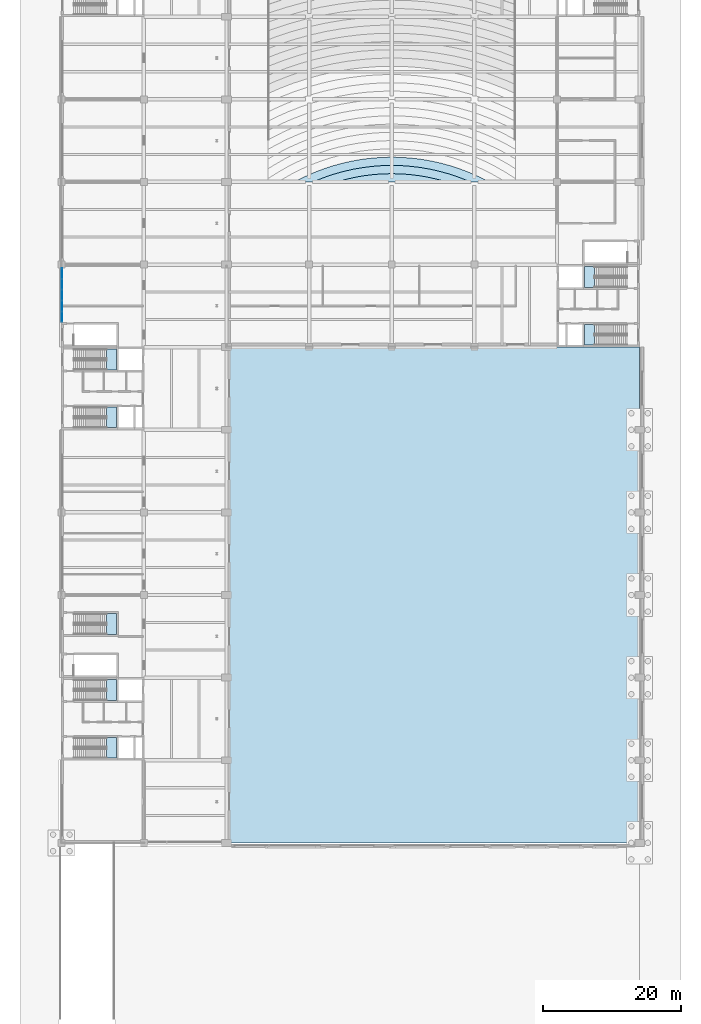
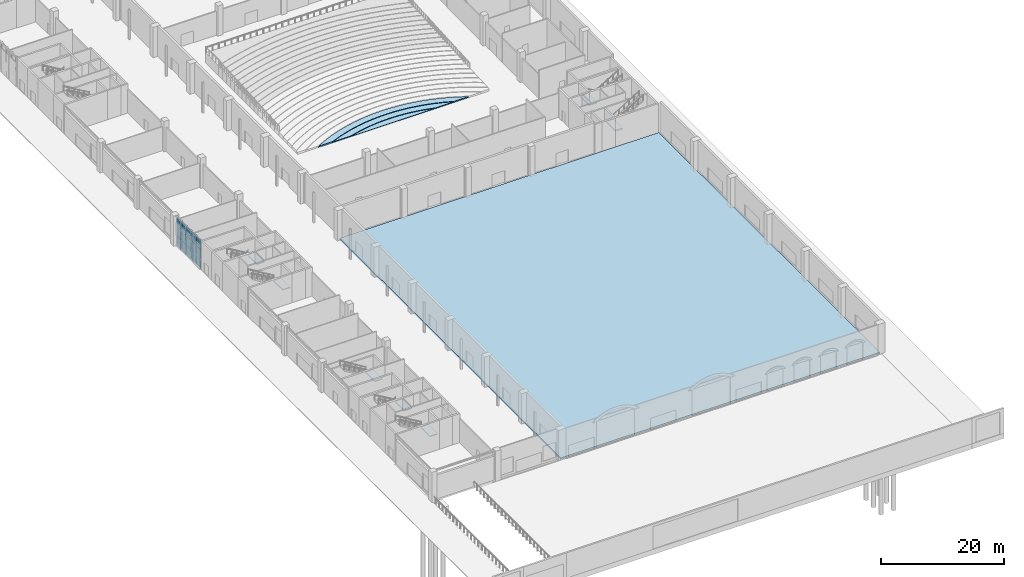
# One storey, part 25 of 59: 15 plates, 11 slabs, 8 elements without a shape of their own.
"""IFC4 building model written with IfcOpenShell, lengths in metres."""

from ifc_helpers import new_model, si_unit, direction, frame, origin, origin_2d, place, context, subcontext, project, spatial, polyline, rectangle, outline, extrude, material, layer, layer_set, type_object, element, aggregate, save


model = new_model("IFC4")

# Units and contexts
model_context = context("Model", 3, precision=1e-05, world=origin(), true_north=direction((0.0, 1.0)))
body_context = subcontext(model_context, "Body", "Model", "MODEL_VIEW")
ifc_project = project(units=[si_unit("LENGTHUNIT", "METRE"), si_unit("AREAUNIT", "SQUARE_METRE"), si_unit("VOLUMEUNIT", "CUBIC_METRE"), si_unit("PLANEANGLEUNIT", "RADIAN"), si_unit("MASSUNIT", "GRAM", prefix="KILO")], contexts=[model_context])

# Site, building, storey
site_placement = place(None, origin())
site = spatial("IfcSite", under=ifc_project, at=site_placement, CompositionType="ELEMENT")
building_placement = place(site_placement, origin())
building = spatial("IfcBuilding", under=site, at=building_placement, Name="Lilac Gate Convention Centre", CompositionType="ELEMENT")
storey_placement = place(building_placement, origin())
storey = spatial("IfcBuildingStorey", under=building, at=storey_placement, Name="L00", CompositionType="ELEMENT", Elevation=0.0)

# Slab
ifc_material_1 = material(Name="Concrete C40", Category="concrete")
ifc_layer_1 = layer(ifc_material_1, 0.300048828125)
ifc_layer_set_1 = layer_set([ifc_layer_1], Name="Concrete C40")
slab_type_1 = type_object("IfcSlabType", Name="Base slab 300 C40", PredefinedType="BASESLAB", material=ifc_layer_set_1)
slab_1_placement = place(storey_placement, frame((0.0, 0.0, -0.300048828125)))
element("IfcSlab", 1, at=slab_1_placement, inside=storey, type_object=slab_type_1, Name="BS2 slab L00 2", PredefinedType="BASESLAB", context=body_context, shape_type="SweptSolid", body=[
    extrude(outline(polyline([(30.0, 30.0), (30.0, 102.0), (90.0, 102.0), (90.0, 30.0), (30.0, 30.0)])), origin(), (0.0, 0.0, 1.0), 0.300048828125),
])

# Curtain wall, plates
ifc_material_2 = material(Name="Aluminium framed double glazing", Category="aluminium")
ifc_layer_2 = layer(ifc_material_2, 0.199951171875)
ifc_layer_set_2 = layer_set([ifc_layer_2], Name="Aluminium framed double glazing")
curtain_wall_type = type_object("IfcCurtainWallType", Name="Unitised curtain wall 1500", PredefinedType="NOTDEFINED", material=ifc_layer_set_2)
curtain_wall_placement = place(storey_placement, origin())
curtain_wall = element("IfcCurtainWall", 2, at=curtain_wall_placement, inside=storey, type_object=curtain_wall_type, Name="Curtain wall PW L00 8", PredefinedType="NOTDEFINED")
ifc_material_3 = material(Name="Double glazed unit low emissivity")
ifc_layer_3 = layer(ifc_material_3, 0.028076171875)
ifc_layer_set_3 = layer_set([ifc_layer_3], Name="Double glazed unit low emissivity")
plate_type_1 = type_object("IfcPlateType", Name="Curtain wall glass panel 28", PredefinedType="CURTAIN_PANEL", material=ifc_layer_set_3)
plate_1_placement = place(storey_placement, frame((6.10009765625, 112.695068359375, 1.94677734375), z_axis=(0.0, 0.0, 1.0), x_axis=(0.0, -1.0, 0.0)))
plate_1 = element("IfcPlate", 3, at=plate_1_placement, type_object=plate_type_1, Name="CW panel 1.2", PredefinedType="CURTAIN_PANEL", context=body_context, shape_type="SweptSolid", body=[
    extrude(rectangle(XDim=1.489990234375, YDim=0.028076171875, at=origin_2d()), origin(), (0.0, 0.0, 1.0), 1.856689453125),
])
plate_2_placement = place(storey_placement, frame((6.10009765625, 112.695068359375, 3.86328125), z_axis=(0.0, 0.0, 1.0), x_axis=(0.0, -1.0, 0.0)))
plate_2 = element("IfcPlate", 4, at=plate_2_placement, type_object=plate_type_1, Name="CW panel 1.3", PredefinedType="CURTAIN_PANEL", context=body_context, shape_type="SweptSolid", body=[
    extrude(rectangle(XDim=1.489990234375, YDim=0.028076171875, at=origin_2d()), origin(), (0.0, 0.0, 1.0), 1.82666015625),
])
plate_3_placement = place(storey_placement, frame((6.10009765625, 111.130126953125, 1.94677734375), z_axis=(0.0, 0.0, 1.0), x_axis=(0.0, -1.0, 0.0)))
plate_3 = element("IfcPlate", 5, at=plate_3_placement, type_object=plate_type_1, Name="CW panel 2.2", PredefinedType="CURTAIN_PANEL", context=body_context, shape_type="SweptSolid", body=[
    extrude(rectangle(XDim=1.52001953125, YDim=0.028076171875, at=origin_2d()), origin(), (0.0, 0.0, 1.0), 1.856689453125),
])
plate_4_placement = place(storey_placement, frame((6.10009765625, 111.130126953125, 3.86328125), z_axis=(0.0, 0.0, 1.0), x_axis=(0.0, -1.0, 0.0)))
plate_4 = element("IfcPlate", 6, at=plate_4_placement, type_object=plate_type_1, Name="CW panel 2.3", PredefinedType="CURTAIN_PANEL", context=body_context, shape_type="SweptSolid", body=[
    extrude(rectangle(XDim=1.52001953125, YDim=0.028076171875, at=origin_2d()), origin(), (0.0, 0.0, 1.0), 1.82666015625),
])
plate_5_placement = place(storey_placement, frame((6.10009765625, 109.550048828125, 1.94677734375), z_axis=(0.0, 0.0, 1.0), x_axis=(0.0, -1.0, 0.0)))
plate_5 = element("IfcPlate", 7, at=plate_5_placement, type_object=plate_type_1, Name="CW panel 3.2", PredefinedType="CURTAIN_PANEL", context=body_context, shape_type="SweptSolid", body=[
    extrude(rectangle(XDim=1.52001953125, YDim=0.028076171875, at=origin_2d()), origin(), (0.0, 0.0, 1.0), 1.856689453125),
])
plate_6_placement = place(storey_placement, frame((6.10009765625, 109.550048828125, 3.86328125), z_axis=(0.0, 0.0, 1.0), x_axis=(0.0, -1.0, 0.0)))
plate_6 = element("IfcPlate", 8, at=plate_6_placement, type_object=plate_type_1, Name="CW panel 3.3", PredefinedType="CURTAIN_PANEL", context=body_context, shape_type="SweptSolid", body=[
    extrude(rectangle(XDim=1.52001953125, YDim=0.028076171875, at=origin_2d()), origin(), (0.0, 0.0, 1.0), 1.82666015625),
])
plate_7_placement = place(storey_placement, frame((6.10009765625, 107.969970703125, 1.94677734375), z_axis=(0.0, 0.0, 1.0), x_axis=(0.0, -1.0, 0.0)))
plate_7 = element("IfcPlate", 9, at=plate_7_placement, type_object=plate_type_1, Name="CW panel 4.2", PredefinedType="CURTAIN_PANEL", context=body_context, shape_type="SweptSolid", body=[
    extrude(rectangle(XDim=1.52001953125, YDim=0.028076171875, at=origin_2d()), origin(), (0.0, 0.0, 1.0), 1.856689453125),
])
plate_8_placement = place(storey_placement, frame((6.10009765625, 107.969970703125, 3.86328125), z_axis=(0.0, 0.0, 1.0), x_axis=(0.0, -1.0, 0.0)))
plate_8 = element("IfcPlate", 10, at=plate_8_placement, type_object=plate_type_1, Name="CW panel 4.3", PredefinedType="CURTAIN_PANEL", context=body_context, shape_type="SweptSolid", body=[
    extrude(rectangle(XDim=1.52001953125, YDim=0.028076171875, at=origin_2d()), origin(), (0.0, 0.0, 1.0), 1.82666015625),
])
plate_9_placement = place(storey_placement, frame((6.10009765625, 106.405029296875, 1.94677734375), z_axis=(0.0, 0.0, 1.0), x_axis=(0.0, -1.0, 0.0)))
plate_9 = element("IfcPlate", 11, at=plate_9_placement, type_object=plate_type_1, Name="CW panel 5.2", PredefinedType="CURTAIN_PANEL", context=body_context, shape_type="SweptSolid", body=[
    extrude(rectangle(XDim=1.489990234375, YDim=0.028076171875, at=origin_2d()), origin(), (0.0, 0.0, 1.0), 1.856689453125),
])
plate_10_placement = place(storey_placement, frame((6.10009765625, 106.405029296875, 3.86328125), z_axis=(0.0, 0.0, 1.0), x_axis=(0.0, -1.0, 0.0)))
plate_10 = element("IfcPlate", 12, at=plate_10_placement, type_object=plate_type_1, Name="CW panel 5.3", PredefinedType="CURTAIN_PANEL", context=body_context, shape_type="SweptSolid", body=[
    extrude(rectangle(XDim=1.489990234375, YDim=0.028076171875, at=origin_2d()), origin(), (0.0, 0.0, 1.0), 1.82666015625),
])
ifc_material_4 = material(Name="Insulated aluminium spandrel panel", Category="aluminium")
ifc_layer_4 = layer(ifc_material_4, 0.028076171875)
ifc_layer_set_4 = layer_set([ifc_layer_4], Name="Insulated aluminium spandrel panel")
plate_type_2 = type_object("IfcPlateType", Name="Curtain wall spandrel panel 28", PredefinedType="CURTAIN_PANEL", material=ifc_layer_set_4)
plate_11_placement = place(storey_placement, frame((6.10009765625, 112.695068359375, 0.06005859375), z_axis=(0.0, 0.0, 1.0), x_axis=(0.0, -1.0, 0.0)))
plate_11 = element("IfcPlate", 13, at=plate_11_placement, type_object=plate_type_2, Name="CW spandrel 1.1", PredefinedType="CURTAIN_PANEL", context=body_context, shape_type="SweptSolid", body=[
    extrude(rectangle(XDim=1.489990234375, YDim=0.028076171875, at=origin_2d()), origin(), (0.0, 0.0, 1.0), 1.82666015625),
])
plate_12_placement = place(storey_placement, frame((6.10009765625, 111.130126953125, 0.06005859375), z_axis=(0.0, 0.0, 1.0), x_axis=(0.0, -1.0, 0.0)))
plate_12 = element("IfcPlate", 14, at=plate_12_placement, type_object=plate_type_2, Name="CW spandrel 2.1", PredefinedType="CURTAIN_PANEL", context=body_context, shape_type="SweptSolid", body=[
    extrude(rectangle(XDim=1.52001953125, YDim=0.028076171875, at=origin_2d()), origin(), (0.0, 0.0, 1.0), 1.82666015625),
])
plate_13_placement = place(storey_placement, frame((6.10009765625, 109.550048828125, 0.06005859375), z_axis=(0.0, 0.0, 1.0), x_axis=(0.0, -1.0, 0.0)))
plate_13 = element("IfcPlate", 15, at=plate_13_placement, type_object=plate_type_2, Name="CW spandrel 3.1", PredefinedType="CURTAIN_PANEL", context=body_context, shape_type="SweptSolid", body=[
    extrude(rectangle(XDim=1.52001953125, YDim=0.028076171875, at=origin_2d()), origin(), (0.0, 0.0, 1.0), 1.82666015625),
])
plate_14_placement = place(storey_placement, frame((6.10009765625, 107.969970703125, 0.06005859375), z_axis=(0.0, 0.0, 1.0), x_axis=(0.0, -1.0, 0.0)))
plate_14 = element("IfcPlate", 16, at=plate_14_placement, type_object=plate_type_2, Name="CW spandrel 4.1", PredefinedType="CURTAIN_PANEL", context=body_context, shape_type="SweptSolid", body=[
    extrude(rectangle(XDim=1.52001953125, YDim=0.028076171875, at=origin_2d()), origin(), (0.0, 0.0, 1.0), 1.82666015625),
])
plate_15_placement = place(storey_placement, frame((6.10009765625, 106.405029296875, 0.06005859375), z_axis=(0.0, 0.0, 1.0), x_axis=(0.0, -1.0, 0.0)))
plate_15 = element("IfcPlate", 17, at=plate_15_placement, type_object=plate_type_2, Name="CW spandrel 5.1", PredefinedType="CURTAIN_PANEL", context=body_context, shape_type="SweptSolid", body=[
    extrude(rectangle(XDim=1.489990234375, YDim=0.028076171875, at=origin_2d()), origin(), (0.0, 0.0, 1.0), 1.82666015625),
])
aggregate(curtain_wall, [plate_11, plate_1, plate_2, plate_12, plate_3, plate_4, plate_13, plate_5, plate_6, plate_14, plate_7, plate_8, plate_15, plate_9, plate_10])

# Slabs
ifc_layer_5 = layer(ifc_material_1, 0.300048828125)
ifc_layer_set_5 = layer_set([ifc_layer_5], Name="Concrete C40")
slab_type_2 = type_object("IfcSlabType", Name="Seating tier 300 C40", PredefinedType="USERDEFINED", material=ifc_layer_set_5)
slab_2_placement = place(storey_placement, origin())
element("IfcSlab", 18, at=slab_2_placement, inside=storey, type_object=slab_type_2, Name="TS1 Stand Stalls row 1", ObjectType="SEATING TIER", PredefinedType="USERDEFINED", context=body_context, shape_type="SweptSolid", body=[
    extrude(outline(polyline([(46.10400390625, 126.029052734375), (47.39111328125, 126.385009765625), (48.694091796875, 126.677001953125), (50.009033203125, 126.906005859375), (51.333984375, 127.069091796875), (52.6650390625, 127.1669921875), (54.0, 127.199951171875), (55.3349609375, 127.1669921875), (56.666015625, 127.069091796875), (57.990966796875, 126.906005859375), (59.305908203125, 126.677001953125), (60.60888671875, 126.385009765625), (61.89599609375, 126.029052734375), (61.98291015625, 126.0), (54.0, 126.0), (46.01708984375, 126.0), (46.10400390625, 126.029052734375)])), origin(), (0.0, 0.0, 1.0), 0.080078125),
])
slab_3_placement = place(storey_placement, origin())
element("IfcSlab", 19, at=slab_3_placement, inside=storey, type_object=slab_type_2, Name="TS1 Stand Stalls row 2", ObjectType="SEATING TIER", PredefinedType="USERDEFINED", context=body_context, shape_type="SweptSolid", body=[
    extrude(outline(polyline([(43.132080078125, 126.238037109375), (44.431884765625, 126.739990234375), (45.756103515625, 127.177001953125), (47.09912109375, 127.549072265625), (48.458984375, 127.85400390625), (49.8330078125, 128.093017578125), (51.216064453125, 128.262939453125), (52.60595703125, 128.365966796875), (54.0, 128.39990234375), (55.39404296875, 128.365966796875), (56.783935546875, 128.262939453125), (58.1669921875, 128.093017578125), (59.541015625, 127.85400390625), (60.90087890625, 127.549072265625), (62.243896484375, 127.177001953125), (63.568115234375, 126.739990234375), (64.867919921875, 126.238037109375), (65.406005859375, 126.0), (61.98291015625, 126.0), (61.89599609375, 126.029052734375), (60.60888671875, 126.385009765625), (59.305908203125, 126.677001953125), (57.990966796875, 126.906005859375), (56.666015625, 127.069091796875), (55.3349609375, 127.1669921875), (54.0, 127.199951171875), (52.6650390625, 127.1669921875), (51.333984375, 127.069091796875), (50.009033203125, 126.906005859375), (48.694091796875, 126.677001953125), (47.39111328125, 126.385009765625), (46.10400390625, 126.029052734375), (46.01708984375, 126.0), (42.593994140625, 126.0), (43.132080078125, 126.238037109375)])), origin(), (0.0, 0.0, 1.0), 0.159912109375),
])
slab_4_placement = place(storey_placement, origin())
element("IfcSlab", 20, at=slab_4_placement, inside=storey, type_object=slab_type_2, Name="TS1 Stand Stalls row 3", ObjectType="SEATING TIER", PredefinedType="USERDEFINED", context=body_context, shape_type="SweptSolid", body=[
    extrude(outline(polyline([(40.047119140625, 126.10498046875), (41.343994140625, 126.758056640625), (42.673095703125, 127.346923828125), (44.028076171875, 127.8701171875), (45.407958984375, 128.324951171875), (46.80810546875, 128.712890625), (48.22509765625, 129.031005859375), (49.656982421875, 129.280029296875), (51.09912109375, 129.45703125), (52.548095703125, 129.56396484375), (54.0, 129.60009765625), (55.451904296875, 129.56396484375), (56.90087890625, 129.45703125), (58.343017578125, 129.280029296875), (59.77490234375, 129.031005859375), (61.19189453125, 128.712890625), (62.592041015625, 128.324951171875), (63.971923828125, 127.8701171875), (65.326904296875, 127.346923828125), (66.656005859375, 126.758056640625), (67.952880859375, 126.10498046875), (68.137939453125, 126.0), (65.406005859375, 126.0), (64.867919921875, 126.238037109375), (63.568115234375, 126.739990234375), (62.243896484375, 127.177001953125), (60.90087890625, 127.549072265625), (59.541015625, 127.85400390625), (58.1669921875, 128.093017578125), (56.783935546875, 128.262939453125), (55.39404296875, 128.365966796875), (54.0, 128.39990234375), (52.60595703125, 128.365966796875), (51.216064453125, 128.262939453125), (49.8330078125, 128.093017578125), (48.458984375, 127.85400390625), (47.09912109375, 127.549072265625), (45.756103515625, 127.177001953125), (44.431884765625, 126.739990234375), (43.132080078125, 126.238037109375), (42.593994140625, 126.0), (39.862060546875, 126.0), (40.047119140625, 126.10498046875)])), origin(), (0.0, 0.0, 1.0), 0.239990234375),
])

# Stair, slab
stair_type = type_object("IfcStairType", Name="Exit stair two flights", PredefinedType="HALF_TURN_STAIR", material=ifc_material_1)
stair_1_placement = place(storey_placement, origin())
stair_1 = element("IfcStair", 21, at=stair_1_placement, inside=storey, type_object=stair_type, Name="Exit stair W1A L00 to L01", PredefinedType="HALF_TURN_STAIR")
ifc_layer_6 = layer(ifc_material_1, 0.199951171875)
ifc_layer_set_6 = layer_set([ifc_layer_6], Name="Concrete C40")
slab_type_3 = type_object("IfcSlabType", Name="Stair landing 200 precast", PredefinedType="LANDING", material=ifc_layer_set_6)
slab_5_placement = place(storey_placement, frame((0.0, 0.0, 2.800048828125)))
slab_5 = element("IfcSlab", 22, at=slab_5_placement, type_object=slab_type_3, Name="ST1 landing 1", PredefinedType="LANDING", context=body_context, shape_type="SweptSolid", body=[
    extrude(outline(polyline([(12.56005859375, 42.300048828125), (14.0, 42.300048828125), (14.0, 45.300048828125), (12.56005859375, 45.300048828125), (12.56005859375, 42.300048828125)])), origin(), (0.0, 0.0, 1.0), 0.199951171875),
])
aggregate(stair_1, [slab_5])

stair_2_placement = place(storey_placement, origin())
stair_2 = element("IfcStair", 23, at=stair_2_placement, inside=storey, type_object=stair_type, Name="Exit stair W1B L00 to L01", PredefinedType="HALF_TURN_STAIR")
slab_6_placement = place(storey_placement, frame((0.0, 0.0, 2.800048828125)))
slab_6 = element("IfcSlab", 24, at=slab_6_placement, type_object=slab_type_3, Name="ST2 landing 1", PredefinedType="LANDING", context=body_context, shape_type="SweptSolid", body=[
    extrude(outline(polyline([(12.56005859375, 50.699951171875), (14.0, 50.699951171875), (14.0, 53.699951171875), (12.56005859375, 53.699951171875), (12.56005859375, 50.699951171875)])), origin(), (0.0, 0.0, 1.0), 0.199951171875),
])
aggregate(stair_2, [slab_6])

stair_3_placement = place(storey_placement, origin())
stair_3 = element("IfcStair", 25, at=stair_3_placement, inside=storey, type_object=stair_type, Name="Exit stair W2A L00 to L01", PredefinedType="HALF_TURN_STAIR")
slab_7_placement = place(storey_placement, frame((0.0, 0.0, 2.800048828125)))
slab_7 = element("IfcSlab", 26, at=slab_7_placement, type_object=slab_type_3, Name="ST7 landing 1", PredefinedType="LANDING", context=body_context, shape_type="SweptSolid", body=[
    extrude(outline(polyline([(12.56005859375, 90.300048828125), (14.0, 90.300048828125), (14.0, 93.300048828125), (12.56005859375, 93.300048828125), (12.56005859375, 90.300048828125)])), origin(), (0.0, 0.0, 1.0), 0.199951171875),
])
aggregate(stair_3, [slab_7])

stair_4_placement = place(storey_placement, origin())
stair_4 = element("IfcStair", 27, at=stair_4_placement, inside=storey, type_object=stair_type, Name="Exit stair W2B L00 to L01", PredefinedType="HALF_TURN_STAIR")
slab_8_placement = place(storey_placement, frame((0.0, 0.0, 2.800048828125)))
slab_8 = element("IfcSlab", 28, at=slab_8_placement, type_object=slab_type_3, Name="ST8 landing 1", PredefinedType="LANDING", context=body_context, shape_type="SweptSolid", body=[
    extrude(outline(polyline([(12.56005859375, 98.699951171875), (14.0, 98.699951171875), (14.0, 101.699951171875), (12.56005859375, 101.699951171875), (12.56005859375, 98.699951171875)])), origin(), (0.0, 0.0, 1.0), 0.199951171875),
])
aggregate(stair_4, [slab_8])

stair_5_placement = place(storey_placement, origin())
stair_5 = element("IfcStair", 29, at=stair_5_placement, inside=storey, type_object=stair_type, Name="Exit stair E1A L00 to L01", PredefinedType="HALF_TURN_STAIR")
slab_9_placement = place(storey_placement, frame((0.0, 0.0, 2.800048828125)))
slab_9 = element("IfcSlab", 30, at=slab_9_placement, type_object=slab_type_3, Name="ST25 landing 1", PredefinedType="LANDING", context=body_context, shape_type="SweptSolid", body=[
    extrude(outline(polyline([(82.0, 102.300048828125), (83.43994140625, 102.300048828125), (83.43994140625, 105.300048828125), (82.0, 105.300048828125), (82.0, 102.300048828125)])), origin(), (0.0, 0.0, 1.0), 0.199951171875),
])
aggregate(stair_5, [slab_9])

stair_6_placement = place(storey_placement, origin())
stair_6 = element("IfcStair", 31, at=stair_6_placement, inside=storey, type_object=stair_type, Name="Exit stair E1B L00 to L01", PredefinedType="HALF_TURN_STAIR")
slab_10_placement = place(storey_placement, frame((0.0, 0.0, 2.800048828125)))
slab_10 = element("IfcSlab", 32, at=slab_10_placement, type_object=slab_type_3, Name="ST26 landing 1", PredefinedType="LANDING", context=body_context, shape_type="SweptSolid", body=[
    extrude(outline(polyline([(82.0, 110.699951171875), (83.43994140625, 110.699951171875), (83.43994140625, 113.699951171875), (82.0, 113.699951171875), (82.0, 110.699951171875)])), origin(), (0.0, 0.0, 1.0), 0.199951171875),
])
aggregate(stair_6, [slab_10])

stair_7_placement = place(storey_placement, origin())
stair_7 = element("IfcStair", 33, at=stair_7_placement, inside=storey, type_object=stair_type, Name="Exit stair UW1 L00 to L01", PredefinedType="HALF_TURN_STAIR")
slab_11_placement = place(storey_placement, frame((0.0, 0.0, 2.800048828125)))
slab_11 = element("IfcSlab", 34, at=slab_11_placement, type_object=slab_type_3, Name="ST47 landing 1", PredefinedType="LANDING", context=body_context, shape_type="SweptSolid", body=[
    extrude(outline(polyline([(12.56005859375, 60.300048828125), (14.0, 60.300048828125), (14.0, 63.300048828125), (12.56005859375, 63.300048828125), (12.56005859375, 60.300048828125)])), origin(), (0.0, 0.0, 1.0), 0.199951171875),
])
aggregate(stair_7, [slab_11])

save(model, "model.ifc")
